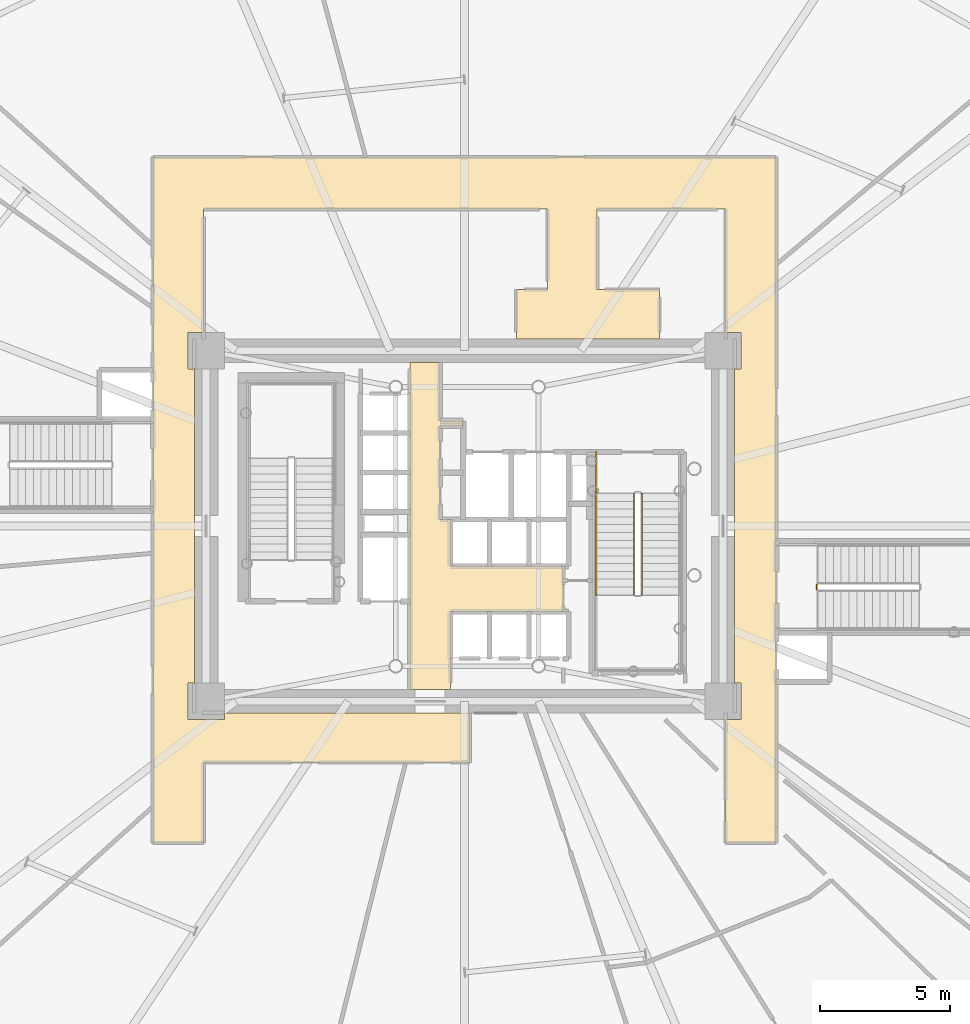
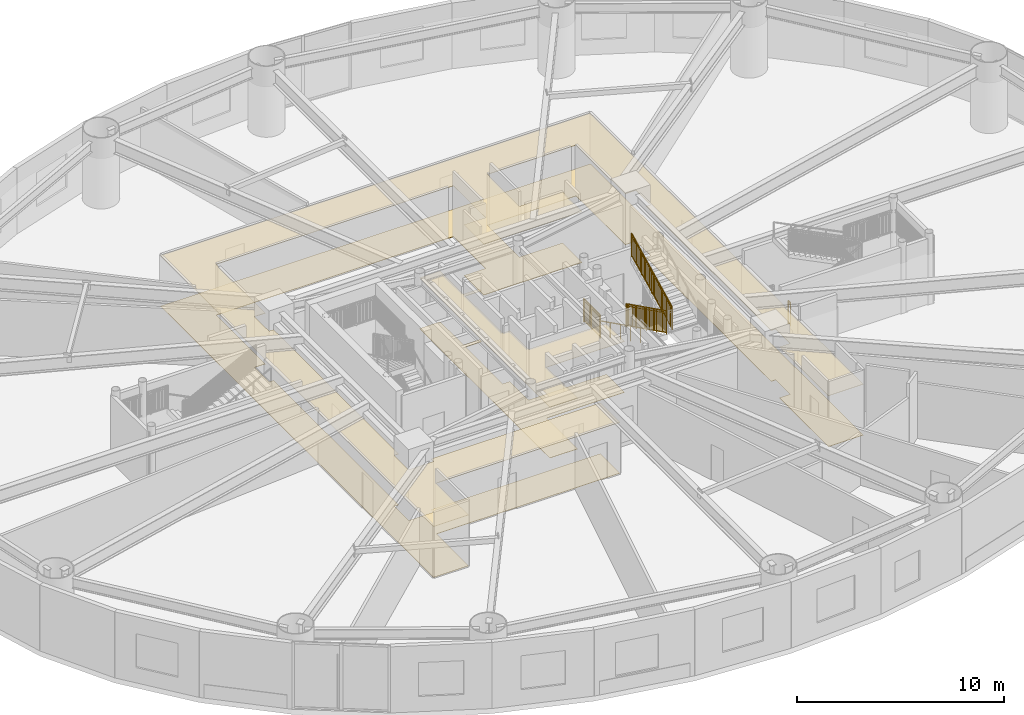
# One storey, part 26 of 30: 5 railings, 4 coverings.
"""IFC4 building model written with IfcOpenShell, lengths in metres."""

from ifc_helpers import new_model, si_unit, direction, frame, origin, origin_2d, place, context, subcontext, project, spatial, polyline, rectangle, outline, extrude, source, transform, mapped, material, layer, layer_set, type_object, element, save


model = new_model("IFC4")

# Units and contexts
model_context = context("Model", 3, precision=1e-05, world=origin(), true_north=direction((0.0, 1.0)))
body_context = subcontext(model_context, "Body", "Model", "MODEL_VIEW")
ifc_project = project(units=[si_unit("LENGTHUNIT", "METRE"), si_unit("AREAUNIT", "SQUARE_METRE"), si_unit("VOLUMEUNIT", "CUBIC_METRE"), si_unit("PLANEANGLEUNIT", "RADIAN"), si_unit("MASSUNIT", "GRAM", prefix="KILO")], contexts=[model_context])

# Site, building, storey
site_placement = place(None, origin())
site = spatial("IfcSite", under=ifc_project, at=site_placement, CompositionType="ELEMENT")
building_placement = place(site_placement, origin())
building = spatial("IfcBuilding", under=site, at=building_placement, Name="Linh Dai School and Residence Tower", CompositionType="ELEMENT")
storey_placement = place(building_placement, frame((0.0, 0.0, 10.199951171875)))
storey = spatial("IfcBuildingStorey", under=building, at=storey_placement, Name="L02", CompositionType="ELEMENT", Elevation=10.199951171875)

# Coverings
ifc_material_1 = material(Name="Mineral Fibre Acoustic Suspended Ceiling", Category="masonry")
ifc_layer_1 = layer(ifc_material_1, 0.02001953125)
ifc_layer_set_1 = layer_set([ifc_layer_1], Name="Mineral Fibre Acoustic Suspended Ceiling")
covering_type_1 = type_object("IfcCoveringType", Name="COV-CEIL-AC-20", PredefinedType="CEILING", material=ifc_layer_set_1)
covering_1_placement = place(storey_placement, frame((0.0, 0.0, 3.0)))
element("IfcCovering", 1, at=covering_1_placement, inside=storey, type_object=covering_type_1, Name="L02 Passenger Lift Lobby Suspended Ceiling", PredefinedType="CEILING", context=body_context, shape_type="SweptSolid", body=[
    extrude(outline(polyline([(35.050048828125, 33.300048828125), (35.050048828125, 31.050048828125), (35.949951171875, 31.050048828125), (35.949951171875, 30.85009765625), (35.050048828125, 30.85009765625), (35.050048828125, 27.25), (35.449951171875, 27.25), (35.449951171875, 25.449951171875), (39.800048828125, 25.449951171875), (39.800048828125, 23.699951171875), (35.449951171875, 23.699951171875), (35.449951171875, 20.699951171875), (33.89990234375, 20.699951171875), (33.89990234375, 33.300048828125), (35.050048828125, 33.300048828125)])), origin(), (0.0, 0.0, 1.0), 0.02001953125),
])
covering_2_placement = place(storey_placement, frame((0.0, 0.0, 3.0)))
element("IfcCovering", 2, at=covering_2_placement, inside=storey, type_object=covering_type_1, Name="L02 School Circulation Ring Corridor Suspended Ceiling", PredefinedType="CEILING", context=body_context, shape_type="SweptSolid", body=[
    extrude(outline(polyline([(24.0, 41.199951171875), (48.0, 41.199951171875), (48.0, 14.800048828125), (46.050048828125, 14.800048828125), (46.050048828125, 19.550048828125), (46.64990234375, 19.550048828125), (46.64990234375, 20.949951171875), (46.39990234375, 20.949951171875), (46.39990234375, 33.050048828125), (46.64990234375, 33.050048828125), (46.64990234375, 34.449951171875), (46.050048828125, 34.449951171875), (46.050048828125, 39.199951171875), (41.10009765625, 39.199951171875), (41.10009765625, 36.10009765625), (43.5, 36.10009765625), (43.5, 34.199951171875), (38.0, 34.199951171875), (38.0, 36.10009765625), (39.199951171875, 36.10009765625), (39.199951171875, 39.199951171875), (25.949951171875, 39.199951171875), (25.949951171875, 34.449951171875), (25.35009765625, 34.449951171875), (25.35009765625, 33.050048828125), (25.60009765625, 33.050048828125), (25.60009765625, 20.949951171875), (25.35009765625, 20.949951171875), (25.35009765625, 19.550048828125), (26.75, 19.550048828125), (26.75, 19.800048828125), (36.199951171875, 19.800048828125), (36.199951171875, 17.89990234375), (25.949951171875, 17.89990234375), (25.949951171875, 14.800048828125), (24.0, 14.800048828125), (24.0, 41.199951171875)])), origin(), (0.0, 0.0, 1.0), 0.02001953125),
])
ifc_material_2 = material(Name="Polished Terrazzo Floor Finish", Category="masonry")
ifc_layer_2 = layer(ifc_material_2, 0.02490234375)
ifc_layer_set_2 = layer_set([ifc_layer_2], Name="Polished Terrazzo Floor Finish")
covering_type_2 = type_object("IfcCoveringType", Name="COV-FLR-TRZ-25", PredefinedType="FLOORING", material=ifc_layer_set_2)
covering_3_placement = place(storey_placement, origin())
element("IfcCovering", 3, at=covering_3_placement, inside=storey, type_object=covering_type_2, Name="L02 Passenger Lift Lobby Floor Finish", PredefinedType="FLOORING", context=body_context, shape_type="SweptSolid", body=[
    extrude(outline(polyline([(35.050048828125, 33.300048828125), (35.050048828125, 31.050048828125), (35.949951171875, 31.050048828125), (35.949951171875, 30.85009765625), (35.050048828125, 30.85009765625), (35.050048828125, 27.25), (35.449951171875, 27.25), (35.449951171875, 25.449951171875), (39.800048828125, 25.449951171875), (39.800048828125, 23.699951171875), (35.449951171875, 23.699951171875), (35.449951171875, 20.699951171875), (33.89990234375, 20.699951171875), (33.89990234375, 33.300048828125), (35.050048828125, 33.300048828125)])), origin(), (0.0, 0.0, 1.0), 0.02001953125),
])
covering_4_placement = place(storey_placement, origin())
element("IfcCovering", 4, at=covering_4_placement, inside=storey, type_object=covering_type_2, Name="L02 School Circulation Ring Corridor Floor Finish", PredefinedType="FLOORING", context=body_context, shape_type="SweptSolid", body=[
    extrude(outline(polyline([(24.0, 41.199951171875), (48.0, 41.199951171875), (48.0, 14.800048828125), (46.050048828125, 14.800048828125), (46.050048828125, 19.550048828125), (46.64990234375, 19.550048828125), (46.64990234375, 20.949951171875), (46.39990234375, 20.949951171875), (46.39990234375, 33.050048828125), (46.64990234375, 33.050048828125), (46.64990234375, 34.449951171875), (46.050048828125, 34.449951171875), (46.050048828125, 39.199951171875), (41.10009765625, 39.199951171875), (41.10009765625, 36.10009765625), (43.5, 36.10009765625), (43.5, 34.199951171875), (38.0, 34.199951171875), (38.0, 36.10009765625), (39.199951171875, 36.10009765625), (39.199951171875, 39.199951171875), (25.949951171875, 39.199951171875), (25.949951171875, 34.449951171875), (25.35009765625, 34.449951171875), (25.35009765625, 33.050048828125), (25.60009765625, 33.050048828125), (25.60009765625, 20.949951171875), (25.35009765625, 20.949951171875), (25.35009765625, 19.550048828125), (26.75, 19.550048828125), (26.75, 19.800048828125), (36.199951171875, 19.800048828125), (36.199951171875, 17.89990234375), (25.949951171875, 17.89990234375), (25.949951171875, 14.800048828125), (24.0, 14.800048828125), (24.0, 41.199951171875)])), origin(), (0.0, 0.0, 1.0), 0.02001953125),
])

# Railings
ifc_material_3 = material(Name="Structural Steel S355JR", Category="steel")
railing_type_1 = type_object("IfcRailingType", Name="RL-ST-GUARD-1400", PredefinedType="GUARDRAIL", material=ifc_material_3)
shared_shape_1 = source(origin(), body_context, "Body", "SweptSolid", [
    extrude(rectangle(XDim=0.048095703125, YDim=0.048095703125, at=origin_2d()), frame((0.0, 0.0, 1.3759765625), z_axis=(0.0, -1.0, 0.0), x_axis=(1.0, 0.0, 0.0)), (0.0, 0.0, 1.0), 1.60009765625),
    extrude(rectangle(XDim=0.048095703125, YDim=0.048095703125, at=origin_2d()), frame((0.0, 0.0, 0.10009765625), z_axis=(0.0, -1.0, 0.0), x_axis=(1.0, 0.0, 0.0)), (0.0, 0.0, 1.0), 1.60009765625),
    extrude(rectangle(XDim=0.030029296875, YDim=0.030029296875, at=origin_2d()), frame((0.0, 0.0, 1.239990234375), z_axis=(0.0, -1.0, 0.0), x_axis=(1.0, 0.0, 0.0)), (0.0, 0.0, 1.0), 1.60009765625),
    extrude(rectangle(XDim=0.02001953125, YDim=0.02001953125, at=origin_2d()), frame((0.0, -0.09423828125, 0.10009765625)), (0.0, 0.0, 1.0), 1.251708984375),
    extrude(rectangle(XDim=0.02001953125, YDim=0.02001953125, at=origin_2d()), frame((0.0, -0.188232421875, 0.10009765625)), (0.0, 0.0, 1.0), 1.251708984375),
    extrude(rectangle(XDim=0.02001953125, YDim=0.02001953125, at=origin_2d()), frame((0.0, -0.282470703125, 0.10009765625)), (0.0, 0.0, 1.0), 1.251708984375),
    extrude(rectangle(XDim=0.02001953125, YDim=0.02001953125, at=origin_2d()), frame((0.0, -0.37646484375, 0.10009765625)), (0.0, 0.0, 1.0), 1.251708984375),
    extrude(rectangle(XDim=0.02001953125, YDim=0.02001953125, at=origin_2d()), frame((0.0, -0.470703125, 0.10009765625)), (0.0, 0.0, 1.0), 1.251708984375),
    extrude(rectangle(XDim=0.02001953125, YDim=0.02001953125, at=origin_2d()), frame((0.0, -0.564697265625, 0.10009765625)), (0.0, 0.0, 1.0), 1.251708984375),
    extrude(rectangle(XDim=0.02001953125, YDim=0.02001953125, at=origin_2d()), frame((0.0, -0.658935546875, 0.10009765625)), (0.0, 0.0, 1.0), 1.251708984375),
    extrude(rectangle(XDim=0.02001953125, YDim=0.02001953125, at=origin_2d()), frame((0.0, -0.7529296875, 0.10009765625)), (0.0, 0.0, 1.0), 1.251708984375),
    extrude(rectangle(XDim=0.02001953125, YDim=0.02001953125, at=origin_2d()), frame((0.0, -0.84716796875, 0.10009765625)), (0.0, 0.0, 1.0), 1.251708984375),
    extrude(rectangle(XDim=0.02001953125, YDim=0.02001953125, at=origin_2d()), frame((0.0, -0.941162109375, 0.10009765625)), (0.0, 0.0, 1.0), 1.251708984375),
    extrude(rectangle(XDim=0.02001953125, YDim=0.02001953125, at=origin_2d()), frame((0.0, -1.035400390625, 0.10009765625)), (0.0, 0.0, 1.0), 1.251708984375),
    extrude(rectangle(XDim=0.02001953125, YDim=0.02001953125, at=origin_2d()), frame((0.0, -1.12939453125, 0.10009765625)), (0.0, 0.0, 1.0), 1.251708984375),
    extrude(rectangle(XDim=0.02001953125, YDim=0.02001953125, at=origin_2d()), frame((0.0, -1.2236328125, 0.10009765625)), (0.0, 0.0, 1.0), 1.251708984375),
    extrude(rectangle(XDim=0.02001953125, YDim=0.02001953125, at=origin_2d()), frame((0.0, -1.317626953125, 0.10009765625)), (0.0, 0.0, 1.0), 1.251708984375),
    extrude(rectangle(XDim=0.02001953125, YDim=0.02001953125, at=origin_2d()), frame((0.0, -1.411865234375, 0.10009765625)), (0.0, 0.0, 1.0), 1.251708984375),
    extrude(rectangle(XDim=0.02001953125, YDim=0.02001953125, at=origin_2d()), frame((0.0, -1.505859375, 0.10009765625)), (0.0, 0.0, 1.0), 1.251708984375),
    extrude(rectangle(XDim=0.0419921875, YDim=0.0419921875, at=origin_2d()), origin(), (0.0, 0.0, 1.0), 1.3759765625),
    extrude(rectangle(XDim=0.0419921875, YDim=0.0419921875, at=origin_2d()), frame((0.0, -0.800048828125, 0.0)), (0.0, 0.0, 1.0), 1.3759765625),
    extrude(rectangle(XDim=0.0419921875, YDim=0.0419921875, at=origin_2d()), frame((0.0, -1.60009765625, 0.0)), (0.0, 0.0, 1.0), 1.3759765625),
])
railing_1_placement = place(storey_placement, frame((41.070068359375, 29.85009765625, 0.0)))
element("IfcRailing", 5, at=railing_1_placement, inside=storey, type_object=railing_type_1, Name="L02 ST2 stair guard 8", PredefinedType="GUARDRAIL", context=body_context, shape_type="MappedRepresentation", body=[
    mapped(shared_shape_1, transform((0.0, 0.0, 0.0), x_axis=(1.0, 0.0, 0.0), y_axis=(0.0, 1.0, 0.0), z_axis=(0.0, 0.0, 1.0), scale=1.0)),
])
shared_shape_2 = source(origin(), body_context, "Body", "SweptSolid", [
    extrude(rectangle(XDim=0.048095703125, YDim=0.048095703125, at=origin_2d()), frame((0.0, 0.0, 1.3759765625), z_axis=(0.0, 0.894427191, 0.4472135955), x_axis=(-1.0, 0.0, 0.0)), (0.0, 0.0, 1.0), 4.360107421875),
    extrude(rectangle(XDim=0.048095703125, YDim=0.048095703125, at=origin_2d()), frame((0.0, 0.0, 0.10009765625), z_axis=(0.0, 0.894427191, 0.4472135955), x_axis=(-1.0, 0.0, 0.0)), (0.0, 0.0, 1.0), 4.360107421875),
    extrude(rectangle(XDim=0.030029296875, YDim=0.030029296875, at=origin_2d()), frame((0.0, 0.0, 1.239990234375), z_axis=(0.0, 0.894427191, 0.4472135955), x_axis=(-1.0, 0.0, 0.0)), (0.0, 0.0, 1.0), 4.360107421875),
    extrude(rectangle(XDim=0.02001953125, YDim=0.02001953125, at=origin_2d()), frame((0.0, 0.086669921875, 0.143310546875)), (0.0, 0.0, 1.0), 1.251708984375),
    extrude(rectangle(XDim=0.02001953125, YDim=0.02001953125, at=origin_2d()), frame((0.0, 0.17333984375, 0.186767578125)), (0.0, 0.0, 1.0), 1.251708984375),
    extrude(rectangle(XDim=0.02001953125, YDim=0.02001953125, at=origin_2d()), frame((0.0, 0.260009765625, 0.22998046875)), (0.0, 0.0, 1.0), 1.251708984375),
    extrude(rectangle(XDim=0.02001953125, YDim=0.02001953125, at=origin_2d()), frame((0.0, 0.3466796875, 0.2734375)), (0.0, 0.0, 1.0), 1.251708984375),
    extrude(rectangle(XDim=0.02001953125, YDim=0.02001953125, at=origin_2d()), frame((0.0, 0.433349609375, 0.316650390625)), (0.0, 0.0, 1.0), 1.251708984375),
    extrude(rectangle(XDim=0.02001953125, YDim=0.02001953125, at=origin_2d()), frame((0.0, 0.52001953125, 0.360107421875)), (0.0, 0.0, 1.0), 1.251708984375),
    extrude(rectangle(XDim=0.02001953125, YDim=0.02001953125, at=origin_2d()), frame((0.0, 0.606689453125, 0.4033203125)), (0.0, 0.0, 1.0), 1.251708984375),
    extrude(rectangle(XDim=0.02001953125, YDim=0.02001953125, at=origin_2d()), frame((0.0, 0.693359375, 0.44677734375)), (0.0, 0.0, 1.0), 1.251708984375),
    extrude(rectangle(XDim=0.02001953125, YDim=0.02001953125, at=origin_2d()), frame((0.0, 0.780029296875, 0.489990234375)), (0.0, 0.0, 1.0), 1.251708984375),
    extrude(rectangle(XDim=0.02001953125, YDim=0.02001953125, at=origin_2d()), frame((0.0, 0.86669921875, 0.533447265625)), (0.0, 0.0, 1.0), 1.251708984375),
    extrude(rectangle(XDim=0.02001953125, YDim=0.02001953125, at=origin_2d()), frame((0.0, 1.0400390625, 0.6201171875)), (0.0, 0.0, 1.0), 1.251708984375),
    extrude(rectangle(XDim=0.02001953125, YDim=0.02001953125, at=origin_2d()), frame((0.0, 1.126708984375, 0.663330078125)), (0.0, 0.0, 1.0), 1.251708984375),
    extrude(rectangle(XDim=0.02001953125, YDim=0.02001953125, at=origin_2d()), frame((0.0, 1.21337890625, 0.706787109375)), (0.0, 0.0, 1.0), 1.251708984375),
    extrude(rectangle(XDim=0.02001953125, YDim=0.02001953125, at=origin_2d()), frame((0.0, 1.300048828125, 0.75)), (0.0, 0.0, 1.0), 1.251708984375),
    extrude(rectangle(XDim=0.02001953125, YDim=0.02001953125, at=origin_2d()), frame((0.0, 1.38671875, 0.79345703125)), (0.0, 0.0, 1.0), 1.251708984375),
    extrude(rectangle(XDim=0.02001953125, YDim=0.02001953125, at=origin_2d()), frame((0.0, 1.473388671875, 0.836669921875)), (0.0, 0.0, 1.0), 1.251708984375),
    extrude(rectangle(XDim=0.02001953125, YDim=0.02001953125, at=origin_2d()), frame((0.0, 1.56005859375, 0.880126953125)), (0.0, 0.0, 1.0), 1.251708984375),
    extrude(rectangle(XDim=0.02001953125, YDim=0.02001953125, at=origin_2d()), frame((0.0, 1.646728515625, 0.92333984375)), (0.0, 0.0, 1.0), 1.251708984375),
    extrude(rectangle(XDim=0.02001953125, YDim=0.02001953125, at=origin_2d()), frame((0.0, 1.7333984375, 0.966796875)), (0.0, 0.0, 1.0), 1.251708984375),
    extrude(rectangle(XDim=0.02001953125, YDim=0.02001953125, at=origin_2d()), frame((0.0, 1.820068359375, 1.010009765625)), (0.0, 0.0, 1.0), 1.251708984375),
    extrude(rectangle(XDim=0.02001953125, YDim=0.02001953125, at=origin_2d()), frame((0.0, 1.90673828125, 1.053466796875)), (0.0, 0.0, 1.0), 1.251708984375),
    extrude(rectangle(XDim=0.02001953125, YDim=0.02001953125, at=origin_2d()), frame((0.0, 1.9931640625, 1.0966796875)), (0.0, 0.0, 1.0), 1.251708984375),
    extrude(rectangle(XDim=0.02001953125, YDim=0.02001953125, at=origin_2d()), frame((0.0, 2.079833984375, 1.14013671875)), (0.0, 0.0, 1.0), 1.251708984375),
    extrude(rectangle(XDim=0.02001953125, YDim=0.02001953125, at=origin_2d()), frame((0.0, 2.16650390625, 1.183349609375)), (0.0, 0.0, 1.0), 1.251708984375),
    extrude(rectangle(XDim=0.02001953125, YDim=0.02001953125, at=origin_2d()), frame((0.0, 2.253173828125, 1.226806640625)), (0.0, 0.0, 1.0), 1.251708984375),
    extrude(rectangle(XDim=0.02001953125, YDim=0.02001953125, at=origin_2d()), frame((0.0, 2.33984375, 1.27001953125)), (0.0, 0.0, 1.0), 1.251708984375),
    extrude(rectangle(XDim=0.02001953125, YDim=0.02001953125, at=origin_2d()), frame((0.0, 2.426513671875, 1.3134765625)), (0.0, 0.0, 1.0), 1.251708984375),
    extrude(rectangle(XDim=0.02001953125, YDim=0.02001953125, at=origin_2d()), frame((0.0, 2.51318359375, 1.356689453125)), (0.0, 0.0, 1.0), 1.251708984375),
    extrude(rectangle(XDim=0.02001953125, YDim=0.02001953125, at=origin_2d()), frame((0.0, 2.599853515625, 1.400146484375)), (0.0, 0.0, 1.0), 1.251708984375),
    extrude(rectangle(XDim=0.02001953125, YDim=0.02001953125, at=origin_2d()), frame((0.0, 2.6865234375, 1.443359375)), (0.0, 0.0, 1.0), 1.251708984375),
    extrude(rectangle(XDim=0.02001953125, YDim=0.02001953125, at=origin_2d()), frame((0.0, 2.773193359375, 1.48681640625)), (0.0, 0.0, 1.0), 1.251708984375),
    extrude(rectangle(XDim=0.02001953125, YDim=0.02001953125, at=origin_2d()), frame((0.0, 2.85986328125, 1.530029296875)), (0.0, 0.0, 1.0), 1.251708984375),
    extrude(rectangle(XDim=0.02001953125, YDim=0.02001953125, at=origin_2d()), frame((0.0, 3.033203125, 1.61669921875)), (0.0, 0.0, 1.0), 1.251708984375),
    extrude(rectangle(XDim=0.02001953125, YDim=0.02001953125, at=origin_2d()), frame((0.0, 3.119873046875, 1.66015625)), (0.0, 0.0, 1.0), 1.251708984375),
    extrude(rectangle(XDim=0.02001953125, YDim=0.02001953125, at=origin_2d()), frame((0.0, 3.20654296875, 1.703369140625)), (0.0, 0.0, 1.0), 1.251708984375),
    extrude(rectangle(XDim=0.02001953125, YDim=0.02001953125, at=origin_2d()), frame((0.0, 3.293212890625, 1.746826171875)), (0.0, 0.0, 1.0), 1.251708984375),
    extrude(rectangle(XDim=0.02001953125, YDim=0.02001953125, at=origin_2d()), frame((0.0, 3.3798828125, 1.7900390625)), (0.0, 0.0, 1.0), 1.251708984375),
    extrude(rectangle(XDim=0.02001953125, YDim=0.02001953125, at=origin_2d()), frame((0.0, 3.466552734375, 1.83349609375)), (0.0, 0.0, 1.0), 1.251708984375),
    extrude(rectangle(XDim=0.02001953125, YDim=0.02001953125, at=origin_2d()), frame((0.0, 3.55322265625, 1.876708984375)), (0.0, 0.0, 1.0), 1.251708984375),
    extrude(rectangle(XDim=0.02001953125, YDim=0.02001953125, at=origin_2d()), frame((0.0, 3.639892578125, 1.920166015625)), (0.0, 0.0, 1.0), 1.251708984375),
    extrude(rectangle(XDim=0.02001953125, YDim=0.02001953125, at=origin_2d()), frame((0.0, 3.7265625, 1.96337890625)), (0.0, 0.0, 1.0), 1.251708984375),
    extrude(rectangle(XDim=0.02001953125, YDim=0.02001953125, at=origin_2d()), frame((0.0, 3.813232421875, 2.0068359375)), (0.0, 0.0, 1.0), 1.251708984375),
    extrude(rectangle(XDim=0.0419921875, YDim=0.0419921875, at=origin_2d()), origin(), (0.0, 0.0, 1.0), 1.3759765625),
    extrude(rectangle(XDim=0.0419921875, YDim=0.0419921875, at=origin_2d()), frame((0.0, 0.97509765625, 0.487548828125)), (0.0, 0.0, 1.0), 1.3759765625),
    extrude(rectangle(XDim=0.0419921875, YDim=0.0419921875, at=origin_2d()), frame((0.0, 1.949951171875, 0.97509765625)), (0.0, 0.0, 1.0), 1.3759765625),
    extrude(rectangle(XDim=0.0419921875, YDim=0.0419921875, at=origin_2d()), frame((0.0, 2.9248046875, 1.46240234375)), (0.0, 0.0, 1.0), 1.3759765625),
    extrude(rectangle(XDim=0.0419921875, YDim=0.0419921875, at=origin_2d()), frame((0.0, 3.89990234375, 1.949951171875)), (0.0, 0.0, 1.0), 1.3759765625),
])
railing_2_placement = place(storey_placement, frame((42.820068359375, 24.35009765625, 2.25)))
element("IfcRailing", 6, at=railing_2_placement, inside=storey, type_object=railing_type_1, Name="L02 ST2 stair guard 6", PredefinedType="GUARDRAIL", context=body_context, shape_type="MappedRepresentation", body=[
    mapped(shared_shape_2, transform((0.0, 0.0, 0.0), x_axis=(1.0, 0.0, 0.0), y_axis=(0.0, 1.0, 0.0), z_axis=(0.0, 0.0, 1.0), scale=1.0)),
])
shared_shape_3 = source(origin(), body_context, "Body", "SweptSolid", [
    extrude(rectangle(XDim=0.048095703125, YDim=0.048095703125, at=origin_2d()), frame((0.0, 0.0, 1.3759765625), z_axis=(0.0, -0.894427191, 0.4472135955), x_axis=(1.0, 0.0, 0.0)), (0.0, 0.0, 1.0), 4.360107421875),
    extrude(rectangle(XDim=0.048095703125, YDim=0.048095703125, at=origin_2d()), frame((0.0, 0.0, 0.10009765625), z_axis=(0.0, -0.894427191, 0.4472135955), x_axis=(1.0, 0.0, 0.0)), (0.0, 0.0, 1.0), 4.360107421875),
    extrude(rectangle(XDim=0.030029296875, YDim=0.030029296875, at=origin_2d()), frame((0.0, 0.0, 1.239990234375), z_axis=(0.0, -0.894427191, 0.4472135955), x_axis=(1.0, 0.0, 0.0)), (0.0, 0.0, 1.0), 4.360107421875),
    extrude(rectangle(XDim=0.02001953125, YDim=0.02001953125, at=origin_2d()), frame((0.0, -0.086669921875, 0.143310546875)), (0.0, 0.0, 1.0), 1.251708984375),
    extrude(rectangle(XDim=0.02001953125, YDim=0.02001953125, at=origin_2d()), frame((0.0, -0.17333984375, 0.186767578125)), (0.0, 0.0, 1.0), 1.251708984375),
    extrude(rectangle(XDim=0.02001953125, YDim=0.02001953125, at=origin_2d()), frame((0.0, -0.260009765625, 0.22998046875)), (0.0, 0.0, 1.0), 1.251708984375),
    extrude(rectangle(XDim=0.02001953125, YDim=0.02001953125, at=origin_2d()), frame((0.0, -0.3466796875, 0.2734375)), (0.0, 0.0, 1.0), 1.251708984375),
    extrude(rectangle(XDim=0.02001953125, YDim=0.02001953125, at=origin_2d()), frame((0.0, -0.433349609375, 0.316650390625)), (0.0, 0.0, 1.0), 1.251708984375),
    extrude(rectangle(XDim=0.02001953125, YDim=0.02001953125, at=origin_2d()), frame((0.0, -0.52001953125, 0.360107421875)), (0.0, 0.0, 1.0), 1.251708984375),
    extrude(rectangle(XDim=0.02001953125, YDim=0.02001953125, at=origin_2d()), frame((0.0, -0.606689453125, 0.4033203125)), (0.0, 0.0, 1.0), 1.251708984375),
    extrude(rectangle(XDim=0.02001953125, YDim=0.02001953125, at=origin_2d()), frame((0.0, -0.693359375, 0.44677734375)), (0.0, 0.0, 1.0), 1.251708984375),
    extrude(rectangle(XDim=0.02001953125, YDim=0.02001953125, at=origin_2d()), frame((0.0, -0.780029296875, 0.489990234375)), (0.0, 0.0, 1.0), 1.251708984375),
    extrude(rectangle(XDim=0.02001953125, YDim=0.02001953125, at=origin_2d()), frame((0.0, -0.86669921875, 0.533447265625)), (0.0, 0.0, 1.0), 1.251708984375),
    extrude(rectangle(XDim=0.02001953125, YDim=0.02001953125, at=origin_2d()), frame((0.0, -1.0400390625, 0.6201171875)), (0.0, 0.0, 1.0), 1.251708984375),
    extrude(rectangle(XDim=0.02001953125, YDim=0.02001953125, at=origin_2d()), frame((0.0, -1.126708984375, 0.663330078125)), (0.0, 0.0, 1.0), 1.251708984375),
    extrude(rectangle(XDim=0.02001953125, YDim=0.02001953125, at=origin_2d()), frame((0.0, -1.21337890625, 0.706787109375)), (0.0, 0.0, 1.0), 1.251708984375),
    extrude(rectangle(XDim=0.02001953125, YDim=0.02001953125, at=origin_2d()), frame((0.0, -1.300048828125, 0.75)), (0.0, 0.0, 1.0), 1.251708984375),
    extrude(rectangle(XDim=0.02001953125, YDim=0.02001953125, at=origin_2d()), frame((0.0, -1.38671875, 0.79345703125)), (0.0, 0.0, 1.0), 1.251708984375),
    extrude(rectangle(XDim=0.02001953125, YDim=0.02001953125, at=origin_2d()), frame((0.0, -1.473388671875, 0.836669921875)), (0.0, 0.0, 1.0), 1.251708984375),
    extrude(rectangle(XDim=0.02001953125, YDim=0.02001953125, at=origin_2d()), frame((0.0, -1.56005859375, 0.880126953125)), (0.0, 0.0, 1.0), 1.251708984375),
    extrude(rectangle(XDim=0.02001953125, YDim=0.02001953125, at=origin_2d()), frame((0.0, -1.646728515625, 0.92333984375)), (0.0, 0.0, 1.0), 1.251708984375),
    extrude(rectangle(XDim=0.02001953125, YDim=0.02001953125, at=origin_2d()), frame((0.0, -1.7333984375, 0.966796875)), (0.0, 0.0, 1.0), 1.251708984375),
    extrude(rectangle(XDim=0.02001953125, YDim=0.02001953125, at=origin_2d()), frame((0.0, -1.820068359375, 1.010009765625)), (0.0, 0.0, 1.0), 1.251708984375),
    extrude(rectangle(XDim=0.02001953125, YDim=0.02001953125, at=origin_2d()), frame((0.0, -1.90673828125, 1.053466796875)), (0.0, 0.0, 1.0), 1.251708984375),
    extrude(rectangle(XDim=0.02001953125, YDim=0.02001953125, at=origin_2d()), frame((0.0, -1.9931640625, 1.0966796875)), (0.0, 0.0, 1.0), 1.251708984375),
    extrude(rectangle(XDim=0.02001953125, YDim=0.02001953125, at=origin_2d()), frame((0.0, -2.079833984375, 1.14013671875)), (0.0, 0.0, 1.0), 1.251708984375),
    extrude(rectangle(XDim=0.02001953125, YDim=0.02001953125, at=origin_2d()), frame((0.0, -2.16650390625, 1.183349609375)), (0.0, 0.0, 1.0), 1.251708984375),
    extrude(rectangle(XDim=0.02001953125, YDim=0.02001953125, at=origin_2d()), frame((0.0, -2.253173828125, 1.226806640625)), (0.0, 0.0, 1.0), 1.251708984375),
    extrude(rectangle(XDim=0.02001953125, YDim=0.02001953125, at=origin_2d()), frame((0.0, -2.33984375, 1.27001953125)), (0.0, 0.0, 1.0), 1.251708984375),
    extrude(rectangle(XDim=0.02001953125, YDim=0.02001953125, at=origin_2d()), frame((0.0, -2.426513671875, 1.3134765625)), (0.0, 0.0, 1.0), 1.251708984375),
    extrude(rectangle(XDim=0.02001953125, YDim=0.02001953125, at=origin_2d()), frame((0.0, -2.51318359375, 1.356689453125)), (0.0, 0.0, 1.0), 1.251708984375),
    extrude(rectangle(XDim=0.02001953125, YDim=0.02001953125, at=origin_2d()), frame((0.0, -2.599853515625, 1.400146484375)), (0.0, 0.0, 1.0), 1.251708984375),
    extrude(rectangle(XDim=0.02001953125, YDim=0.02001953125, at=origin_2d()), frame((0.0, -2.6865234375, 1.443359375)), (0.0, 0.0, 1.0), 1.251708984375),
    extrude(rectangle(XDim=0.02001953125, YDim=0.02001953125, at=origin_2d()), frame((0.0, -2.773193359375, 1.48681640625)), (0.0, 0.0, 1.0), 1.251708984375),
    extrude(rectangle(XDim=0.02001953125, YDim=0.02001953125, at=origin_2d()), frame((0.0, -2.85986328125, 1.530029296875)), (0.0, 0.0, 1.0), 1.251708984375),
    extrude(rectangle(XDim=0.02001953125, YDim=0.02001953125, at=origin_2d()), frame((0.0, -3.033203125, 1.61669921875)), (0.0, 0.0, 1.0), 1.251708984375),
    extrude(rectangle(XDim=0.02001953125, YDim=0.02001953125, at=origin_2d()), frame((0.0, -3.119873046875, 1.66015625)), (0.0, 0.0, 1.0), 1.251708984375),
    extrude(rectangle(XDim=0.02001953125, YDim=0.02001953125, at=origin_2d()), frame((0.0, -3.20654296875, 1.703369140625)), (0.0, 0.0, 1.0), 1.251708984375),
    extrude(rectangle(XDim=0.02001953125, YDim=0.02001953125, at=origin_2d()), frame((0.0, -3.293212890625, 1.746826171875)), (0.0, 0.0, 1.0), 1.251708984375),
    extrude(rectangle(XDim=0.02001953125, YDim=0.02001953125, at=origin_2d()), frame((0.0, -3.3798828125, 1.7900390625)), (0.0, 0.0, 1.0), 1.251708984375),
    extrude(rectangle(XDim=0.02001953125, YDim=0.02001953125, at=origin_2d()), frame((0.0, -3.466552734375, 1.83349609375)), (0.0, 0.0, 1.0), 1.251708984375),
    extrude(rectangle(XDim=0.02001953125, YDim=0.02001953125, at=origin_2d()), frame((0.0, -3.55322265625, 1.876708984375)), (0.0, 0.0, 1.0), 1.251708984375),
    extrude(rectangle(XDim=0.02001953125, YDim=0.02001953125, at=origin_2d()), frame((0.0, -3.639892578125, 1.920166015625)), (0.0, 0.0, 1.0), 1.251708984375),
    extrude(rectangle(XDim=0.02001953125, YDim=0.02001953125, at=origin_2d()), frame((0.0, -3.7265625, 1.96337890625)), (0.0, 0.0, 1.0), 1.251708984375),
    extrude(rectangle(XDim=0.02001953125, YDim=0.02001953125, at=origin_2d()), frame((0.0, -3.813232421875, 2.0068359375)), (0.0, 0.0, 1.0), 1.251708984375),
    extrude(rectangle(XDim=0.0419921875, YDim=0.0419921875, at=origin_2d()), origin(), (0.0, 0.0, 1.0), 1.3759765625),
    extrude(rectangle(XDim=0.0419921875, YDim=0.0419921875, at=origin_2d()), frame((0.0, -0.97509765625, 0.487548828125)), (0.0, 0.0, 1.0), 1.3759765625),
    extrude(rectangle(XDim=0.0419921875, YDim=0.0419921875, at=origin_2d()), frame((0.0, -1.949951171875, 0.97509765625)), (0.0, 0.0, 1.0), 1.3759765625),
    extrude(rectangle(XDim=0.0419921875, YDim=0.0419921875, at=origin_2d()), frame((0.0, -2.9248046875, 1.46240234375)), (0.0, 0.0, 1.0), 1.3759765625),
    extrude(rectangle(XDim=0.0419921875, YDim=0.0419921875, at=origin_2d()), frame((0.0, -3.89990234375, 1.949951171875)), (0.0, 0.0, 1.0), 1.3759765625),
])
railing_3_placement = place(storey_placement, frame((42.52001953125, 28.25, 0.150146484375)))
element("IfcRailing", 7, at=railing_3_placement, inside=storey, type_object=railing_type_1, Name="L02 ST2 stair guard 1", PredefinedType="GUARDRAIL", context=body_context, shape_type="MappedRepresentation", body=[
    mapped(shared_shape_3, transform((0.0, 0.0, 0.0), x_axis=(1.0, 0.0, 0.0), y_axis=(0.0, 1.0, 0.0), z_axis=(0.0, 0.0, 1.0), scale=1.0)),
])
ifc_material_4 = material(Name="Brushed Stainless Steel Handrail", Category="steel")
railing_type_2 = type_object("IfcRailingType", Name="RL-ST-HANDRAIL-900", PredefinedType="HANDRAIL", material=ifc_material_4)
shared_shape_4 = source(origin(), body_context, "Body", "SweptSolid", [
    extrude(rectangle(XDim=0.048095703125, YDim=0.048095703125, at=origin_2d()), frame((0.0, 0.0, 0.8759765625), z_axis=(0.0, -0.894427191, 0.4472135955), x_axis=(1.0, 0.0, 0.0)), (0.0, 0.0, 1.0), 4.360107421875),
    extrude(rectangle(XDim=0.0419921875, YDim=0.0419921875, at=origin_2d()), origin(), (0.0, 0.0, 1.0), 0.8759765625),
    extrude(rectangle(XDim=0.0419921875, YDim=0.0419921875, at=origin_2d()), frame((0.0, -0.97509765625, 0.487548828125)), (0.0, 0.0, 1.0), 0.8759765625),
    extrude(rectangle(XDim=0.0419921875, YDim=0.0419921875, at=origin_2d()), frame((0.0, -1.949951171875, 0.97509765625)), (0.0, 0.0, 1.0), 0.8759765625),
    extrude(rectangle(XDim=0.0419921875, YDim=0.0419921875, at=origin_2d()), frame((0.0, -2.9248046875, 1.46240234375)), (0.0, 0.0, 1.0), 0.8759765625),
    extrude(rectangle(XDim=0.0419921875, YDim=0.0419921875, at=origin_2d()), frame((0.0, -3.89990234375, 1.949951171875)), (0.0, 0.0, 1.0), 0.8759765625),
])
railing_4_placement = place(storey_placement, frame((41.070068359375, 28.25, 0.150146484375)))
element("IfcRailing", 8, at=railing_4_placement, inside=storey, type_object=railing_type_2, Name="L02 ST2 stair handrail 1", PredefinedType="HANDRAIL", context=body_context, shape_type="MappedRepresentation", body=[
    mapped(shared_shape_4, transform((0.0, 0.0, 0.0), x_axis=(1.0, 0.0, 0.0), y_axis=(0.0, 1.0, 0.0), z_axis=(0.0, 0.0, 1.0), scale=1.0)),
])
shared_shape_5 = source(origin(), body_context, "Body", "SweptSolid", [
    extrude(rectangle(XDim=0.048095703125, YDim=0.048095703125, at=origin_2d()), frame((0.0, 0.0, 1.3759765625), z_axis=(0.0, 1.0, 0.0), x_axis=(-1.0, 0.0, 0.0)), (0.0, 0.0, 1.0), 0.199951171875),
    extrude(rectangle(XDim=0.048095703125, YDim=0.048095703125, at=origin_2d()), frame((0.0, 0.0, 0.10009765625), z_axis=(0.0, 1.0, 0.0), x_axis=(-1.0, 0.0, 0.0)), (0.0, 0.0, 1.0), 0.199951171875),
    extrude(rectangle(XDim=0.030029296875, YDim=0.030029296875, at=origin_2d()), frame((0.0, 0.0, 1.239990234375), z_axis=(0.0, 1.0, 0.0), x_axis=(-1.0, 0.0, 0.0)), (0.0, 0.0, 1.0), 0.199951171875),
    extrude(rectangle(XDim=0.0419921875, YDim=0.0419921875, at=origin_2d()), origin(), (0.0, 0.0, 1.0), 1.3759765625),
    extrude(rectangle(XDim=0.0419921875, YDim=0.0419921875, at=origin_2d()), frame((0.0, 0.199951171875, 0.0)), (0.0, 0.0, 1.0), 1.3759765625),
])
railing_5_placement = place(storey_placement, frame((49.550048828125, 24.550048828125, 0.0)))
element("IfcRailing", 9, at=railing_5_placement, inside=storey, type_object=railing_type_1, Name="L02 STS2 stair guard 7", PredefinedType="GUARDRAIL", context=body_context, shape_type="MappedRepresentation", body=[
    mapped(shared_shape_5, transform((0.0, 0.0, 0.0), x_axis=(1.0, 0.0, 0.0), y_axis=(0.0, 1.0, 0.0), z_axis=(0.0, 0.0, 1.0), scale=1.0)),
])

save(model, "model.ifc")
